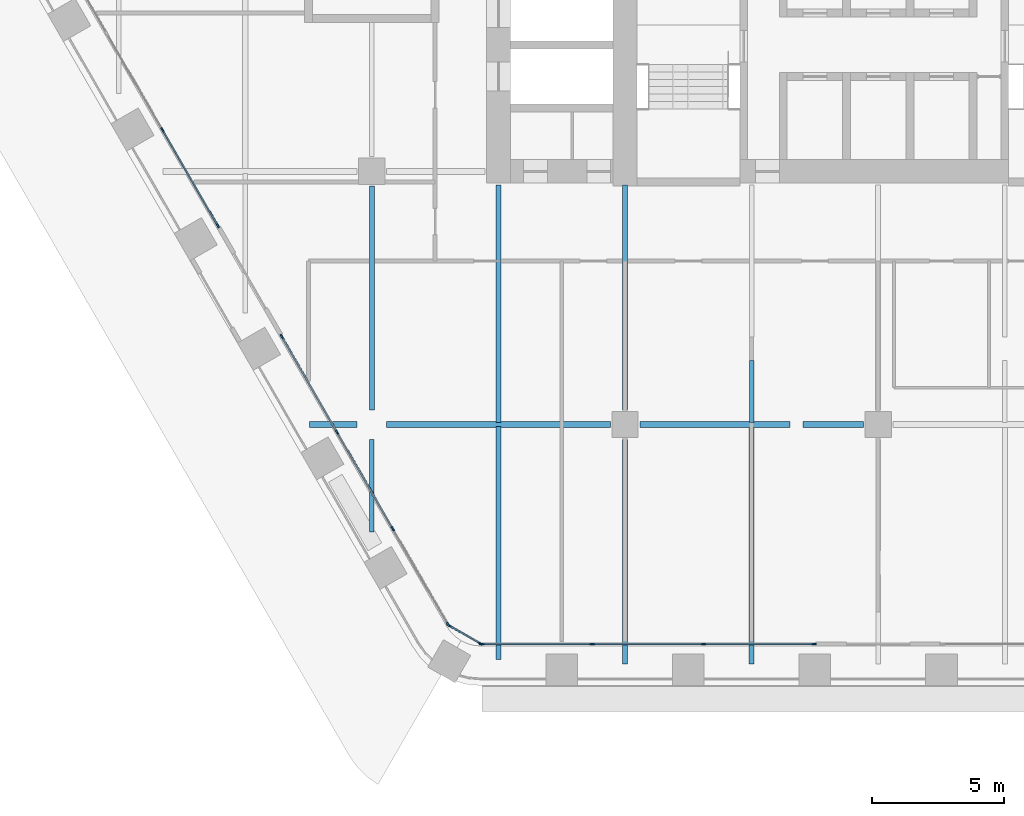
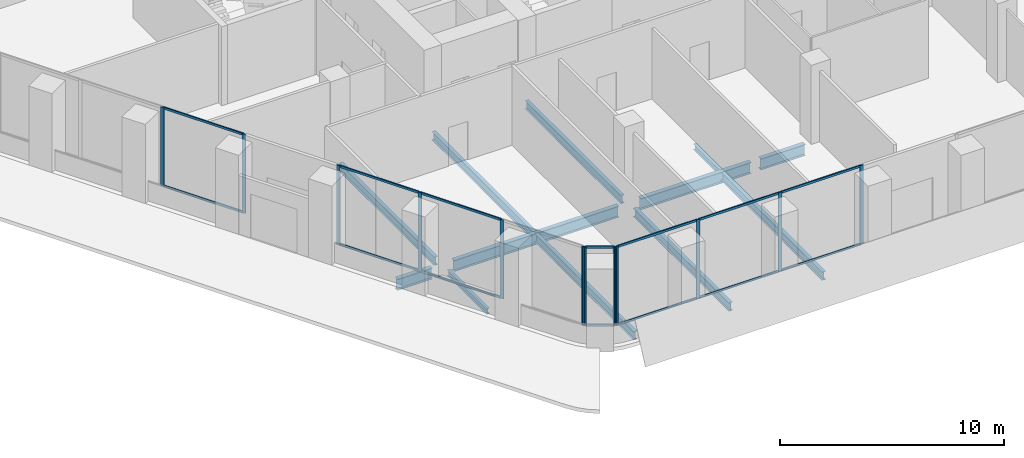
# One storey, part 2 of 23: 26 members, 12 beams, 4 elements without a shape of their own.
"""IFC4 building model written with IfcOpenShell, lengths in metres."""

from ifc_helpers import new_model, si_unit, direction, frame, origin, origin_2d, place, context, subcontext, project, spatial, rectangle, i_section, extrude, material, material_profile, profile_set, type_object, element, aggregate, save


model = new_model("IFC4")

# Units and contexts
model_context = context("Model", 3, precision=1e-05, world=origin(), true_north=direction((0.0, 1.0)))
body_context = subcontext(model_context, "Body", "Model", "MODEL_VIEW")
ifc_project = project(units=[si_unit("LENGTHUNIT", "METRE"), si_unit("AREAUNIT", "SQUARE_METRE"), si_unit("VOLUMEUNIT", "CUBIC_METRE"), si_unit("PLANEANGLEUNIT", "RADIAN"), si_unit("MASSUNIT", "GRAM", prefix="KILO")], contexts=[model_context])

# Site, building, storey
site_placement = place(None, origin())
site = spatial("IfcSite", under=ifc_project, at=site_placement, CompositionType="ELEMENT")
building_placement = place(site_placement, origin())
building = spatial("IfcBuilding", under=site, at=building_placement, Name="Kolab Exchange Tower", CompositionType="ELEMENT")
storey_placement = place(building_placement, frame((0.0, 0.0, 77.89990234375)))
storey = spatial("IfcBuildingStorey", under=building, at=storey_placement, Name="L14", CompositionType="ELEMENT", Elevation=77.89990234375)

# Beams
ifc_material_1 = material(Name="Steel S355", Category="steel")
ifc_material_profile_1 = material_profile(ifc_material_1, i_section(OverallWidth=0.1650390625, OverallDepth=0.31005859375, WebThickness=0.005859375, FlangeThickness=0.009765625, at=origin_2d()), Name="W310X39")
ifc_profile_set_1 = profile_set([ifc_material_profile_1], Name="Steel S355")
beam_type_1 = type_object("IfcBeamType", Name="FLOOR BEAM W310X39", PredefinedType="BEAM", material=ifc_profile_set_1)
beam_1_placement = place(storey_placement, frame((-19.199951171875, -23.281494140625, -0.35498046875), z_axis=(0.0, 1.0, 0.0), x_axis=(-1.0, 0.0, 0.0)))
element("IfcBeam", 1, at=beam_1_placement, inside=storey, type_object=beam_type_1, Name="beam/L14/fr/006", PredefinedType="BEAM", context=body_context, shape_type="SweptSolid", body=[
    extrude(i_section(OverallWidth=0.1650390625, OverallDepth=0.31005859375, WebThickness=0.005859375, FlangeThickness=0.009765625, at=origin_2d()), origin(), (0.0, 0.0, 1.0), 3.521484375),
])
beam_2_placement = place(storey_placement, frame((-4.800048828125, -19.1259765625, -0.35498046875), z_axis=(0.0, 1.0, 0.0), x_axis=(-1.0, 0.0, 0.0)))
element("IfcBeam", 2, at=beam_2_placement, inside=storey, type_object=beam_type_1, Name="beam/L14/fr/022", PredefinedType="BEAM", context=body_context, shape_type="SweptSolid", body=[
    extrude(i_section(OverallWidth=0.1650390625, OverallDepth=0.31005859375, WebThickness=0.005859375, FlangeThickness=0.009765625, at=origin_2d()), origin(), (0.0, 0.0, 1.0), 2.34716796875),
])
ifc_material_profile_2 = material_profile(ifc_material_1, i_section(OverallWidth=0.18994140625, OverallDepth=0.45703125, WebThickness=0.009033203125, FlangeThickness=0.014404296875, at=origin_2d()), Name="W460X74")
ifc_profile_set_2 = profile_set([ifc_material_profile_2], Name="Steel S355")
beam_type_2 = type_object("IfcBeamType", Name="FLOOR BEAM W460X74", PredefinedType="BEAM", material=ifc_profile_set_2)
beam_3_placement = place(storey_placement, frame((-19.199951171875, -18.639892578125, -0.428466796875), z_axis=(0.0, 1.0, 0.0), x_axis=(-1.0, 0.0, 0.0)))
element("IfcBeam", 3, at=beam_3_placement, inside=storey, type_object=beam_type_2, Name="beam/L14/fr/007", PredefinedType="BEAM", context=body_context, shape_type="SweptSolid", body=[
    extrude(i_section(OverallWidth=0.18994140625, OverallDepth=0.45703125, WebThickness=0.009033203125, FlangeThickness=0.014404296875, at=origin_2d()), origin(), (0.0, 0.0, 1.0), 8.47998046875),
])
beam_4_placement = place(storey_placement, frame((-14.39990234375, -28.10693359375, -0.428466796875), z_axis=(0.0, 1.0, 0.0), x_axis=(-1.0, 0.0, 0.0)))
element("IfcBeam", 4, at=beam_4_placement, inside=storey, type_object=beam_type_2, Name="beam/L14/fr/012", PredefinedType="BEAM", context=body_context, shape_type="SweptSolid", body=[
    extrude(i_section(OverallWidth=0.18994140625, OverallDepth=0.45703125, WebThickness=0.009033203125, FlangeThickness=0.014404296875, at=origin_2d()), origin(), (0.0, 0.0, 1.0), 8.8330078125),
])
beam_5_placement = place(storey_placement, frame((-14.39990234375, -19.1259765625, -0.428466796875), z_axis=(0.0, 1.0, 0.0), x_axis=(-1.0, 0.0, 0.0)))
element("IfcBeam", 5, at=beam_5_placement, inside=storey, type_object=beam_type_2, Name="beam/L14/fr/013", PredefinedType="BEAM", context=body_context, shape_type="SweptSolid", body=[
    extrude(i_section(OverallWidth=0.18994140625, OverallDepth=0.45703125, WebThickness=0.009033203125, FlangeThickness=0.014404296875, at=origin_2d()), origin(), (0.0, 0.0, 1.0), 9.015869140625),
])
beam_6_placement = place(storey_placement, frame((-9.60009765625, -28.28857421875, -0.428466796875), z_axis=(0.0, 1.0, 0.0), x_axis=(-1.0, 0.0, 0.0)))
element("IfcBeam", 6, at=beam_6_placement, inside=storey, type_object=beam_type_2, Name="beam/L14/fr/016", PredefinedType="BEAM", context=body_context, shape_type="SweptSolid", body=[
    extrude(i_section(OverallWidth=0.18994140625, OverallDepth=0.45703125, WebThickness=0.009033203125, FlangeThickness=0.014404296875, at=origin_2d()), origin(), (0.0, 0.0, 1.0), 8.528564453125),
])
beam_7_placement = place(storey_placement, frame((-9.60009765625, -18.639892578125, -0.428466796875), z_axis=(0.0, 1.0, 0.0), x_axis=(-1.0, 0.0, 0.0)))
element("IfcBeam", 7, at=beam_7_placement, inside=storey, type_object=beam_type_2, Name="beam/L14/fr/017", PredefinedType="BEAM", context=body_context, shape_type="SweptSolid", body=[
    extrude(i_section(OverallWidth=0.18994140625, OverallDepth=0.45703125, WebThickness=0.009033203125, FlangeThickness=0.014404296875, at=origin_2d()), origin(), (0.0, 0.0, 1.0), 8.52978515625),
])
beam_8_placement = place(storey_placement, frame((-4.800048828125, -28.28857421875, -0.428466796875), z_axis=(0.0, 1.0, 0.0), x_axis=(-1.0, 0.0, 0.0)))
element("IfcBeam", 8, at=beam_8_placement, inside=storey, type_object=beam_type_2, Name="beam/L14/fr/021", PredefinedType="BEAM", context=body_context, shape_type="SweptSolid", body=[
    extrude(i_section(OverallWidth=0.18994140625, OverallDepth=0.45703125, WebThickness=0.009033203125, FlangeThickness=0.014404296875, at=origin_2d()), origin(), (0.0, 0.0, 1.0), 9.0146484375),
])
ifc_material_profile_3 = material_profile(ifc_material_1, i_section(OverallWidth=0.22802734375, OverallDepth=0.60791015625, WebThickness=0.01123046875, FlangeThickness=0.017333984375, at=origin_2d()), Name="W610X113")
ifc_profile_set_3 = profile_set([ifc_material_profile_3], Name="Steel S355")
beam_type_3 = type_object("IfcBeamType", Name="FLOOR GIRDER W610X113", PredefinedType="BEAM", material=ifc_profile_set_3)
beam_9_placement = place(storey_placement, frame((-21.573486328125, -19.199951171875, -0.50390625), z_axis=(1.0, 0.0, 0.0), x_axis=(0.0, 1.0, 0.0)))
element("IfcBeam", 9, at=beam_9_placement, inside=storey, type_object=beam_type_3, Name="beam/L14/gd/004", PredefinedType="BEAM", context=body_context, shape_type="SweptSolid", body=[
    extrude(i_section(OverallWidth=0.22802734375, OverallDepth=0.60791015625, WebThickness=0.01123046875, FlangeThickness=0.017333984375, at=origin_2d()), origin(), (0.0, 0.0, 1.0), 1.8134765625),
])
beam_10_placement = place(storey_placement, frame((-18.639892578125, -19.199951171875, -0.50390625), z_axis=(1.0, 0.0, 0.0), x_axis=(0.0, 1.0, 0.0)))
element("IfcBeam", 10, at=beam_10_placement, inside=storey, type_object=beam_type_3, Name="beam/L14/gd/006", PredefinedType="BEAM", context=body_context, shape_type="SweptSolid", body=[
    extrude(i_section(OverallWidth=0.22802734375, OverallDepth=0.60791015625, WebThickness=0.01123046875, FlangeThickness=0.017333984375, at=origin_2d()), origin(), (0.0, 0.0, 1.0), 8.47998046875),
])
beam_11_placement = place(storey_placement, frame((-9.0400390625, -19.199951171875, -0.50390625), z_axis=(1.0, 0.0, 0.0), x_axis=(0.0, 1.0, 0.0)))
element("IfcBeam", 11, at=beam_11_placement, inside=storey, type_object=beam_type_3, Name="beam/L14/gd/011", PredefinedType="BEAM", context=body_context, shape_type="SweptSolid", body=[
    extrude(i_section(OverallWidth=0.22802734375, OverallDepth=0.60791015625, WebThickness=0.01123046875, FlangeThickness=0.017333984375, at=origin_2d()), origin(), (0.0, 0.0, 1.0), 5.688720703125),
])
beam_12_placement = place(storey_placement, frame((-2.850341796875, -19.199951171875, -0.50390625), z_axis=(1.0, 0.0, 0.0), x_axis=(0.0, 1.0, 0.0)))
element("IfcBeam", 12, at=beam_12_placement, inside=storey, type_object=beam_type_3, Name="beam/L14/gd/014", PredefinedType="BEAM", context=body_context, shape_type="SweptSolid", body=[
    extrude(i_section(OverallWidth=0.22802734375, OverallDepth=0.60791015625, WebThickness=0.01123046875, FlangeThickness=0.017333984375, at=origin_2d()), origin(), (0.0, 0.0, 1.0), 2.290283203125),
])

# Curtain wall, members
ifc_material_2 = material(Name="Aluminium EN AW-6063 T6", Category="aluminium")
curtain_wall_type = type_object("IfcCurtainWallType", Name="UNITISED LOWER MID ZONE CURTAIN WALL", PredefinedType="NOTDEFINED", material=ifc_material_2)
curtain_wall_1_placement = place(storey_placement, origin())
curtain_wall_1 = element("IfcCurtainWall", 13, at=curtain_wall_1_placement, inside=storey, type_object=curtain_wall_type, Name="cw/L14/F4-2", PredefinedType="NOTDEFINED")
ifc_material_profile_4 = material_profile(ifc_material_2, rectangle(XDim=0.06005859375, YDim=0.179931640625, at=origin_2d()), Name="RECT 60X180")
ifc_profile_set_4 = profile_set([ifc_material_profile_4], Name="Aluminium EN AW-6063 T6")
member_type_1 = type_object("IfcMemberType", Name="UNITISED LOWER MID ZONE MULLION 60 X 180", PredefinedType="MULLION", material=ifc_profile_set_4)
member_1_placement = place(storey_placement, frame((-2.429931640625, -27.5185546875, 0.0), z_axis=(0.0, 0.0, 1.0), x_axis=(0.0, -1.0, 0.0)))
member_1 = element("IfcMember", 14, at=member_1_placement, type_object=member_type_1, Name="CW2 mullion 1", PredefinedType="MULLION", context=body_context, shape_type="SweptSolid", body=[
    extrude(rectangle(XDim=0.06005859375, YDim=0.179931640625, at=origin_2d()), origin(), (0.0, 0.0, 1.0), 4.300048828125),
])
member_2_placement = place(storey_placement, frame((-6.62255859375, -27.5185546875, 0.0), z_axis=(0.0, 0.0, 1.0), x_axis=(0.0, -1.0, 0.0)))
member_2 = element("IfcMember", 15, at=member_2_placement, type_object=member_type_1, Name="CW2 mullion 2", PredefinedType="MULLION", context=body_context, shape_type="SweptSolid", body=[
    extrude(rectangle(XDim=0.06005859375, YDim=0.179931640625, at=origin_2d()), origin(), (0.0, 0.0, 1.0), 4.300048828125),
])
member_3_placement = place(storey_placement, frame((-10.84521484375, -27.5185546875, 0.0), z_axis=(0.0, 0.0, 1.0), x_axis=(0.0, -1.0, 0.0)))
member_3 = element("IfcMember", 16, at=member_3_placement, type_object=member_type_1, Name="CW2 mullion 3", PredefinedType="MULLION", context=body_context, shape_type="SweptSolid", body=[
    extrude(rectangle(XDim=0.06005859375, YDim=0.179931640625, at=origin_2d()), origin(), (0.0, 0.0, 1.0), 4.300048828125),
])
member_4_placement = place(storey_placement, frame((-15.037841796875, -27.5185546875, 0.0), z_axis=(0.0, 0.0, 1.0), x_axis=(0.0, -1.0, 0.0)))
member_4 = element("IfcMember", 17, at=member_4_placement, type_object=member_type_1, Name="CW2 mullion 4", PredefinedType="MULLION", context=body_context, shape_type="SweptSolid", body=[
    extrude(rectangle(XDim=0.06005859375, YDim=0.179931640625, at=origin_2d()), origin(), (0.0, 0.0, 1.0), 4.300048828125),
])

curtain_wall_2_placement = place(storey_placement, origin())
curtain_wall_2 = element("IfcCurtainWall", 18, at=curtain_wall_2_placement, inside=storey, type_object=curtain_wall_type, Name="cw/L14/F5-1", PredefinedType="NOTDEFINED")
member_5_placement = place(storey_placement, frame((-16.312744140625, -26.782470703125, 0.0), z_axis=(0.0, 0.0, 1.0), x_axis=(-0.866025393644, -0.500000017564, 0.0)))
member_5 = element("IfcMember", 19, at=member_5_placement, type_object=member_type_1, Name="CW2 mullion 1", PredefinedType="MULLION", context=body_context, shape_type="SweptSolid", body=[
    extrude(rectangle(XDim=0.06005859375, YDim=0.179931640625, at=origin_2d()), origin(), (0.0, 0.0, 1.0), 4.300048828125),
])
member_6_placement = place(storey_placement, frame((-18.408935546875, -23.151611328125, 0.0), z_axis=(0.0, 0.0, 1.0), x_axis=(-0.866025393644, -0.500000017564, 0.0)))
member_6 = element("IfcMember", 20, at=member_6_placement, type_object=member_type_1, Name="CW2 mullion 2", PredefinedType="MULLION", context=body_context, shape_type="SweptSolid", body=[
    extrude(rectangle(XDim=0.06005859375, YDim=0.179931640625, at=origin_2d()), origin(), (0.0, 0.0, 1.0), 4.300048828125),
])
member_7_placement = place(storey_placement, frame((-20.520263671875, -19.49462890625, 0.0), z_axis=(0.0, 0.0, 1.0), x_axis=(-0.866025393644, -0.500000017564, 0.0)))
member_7 = element("IfcMember", 21, at=member_7_placement, type_object=member_type_1, Name="CW2 mullion 3", PredefinedType="MULLION", context=body_context, shape_type="SweptSolid", body=[
    extrude(rectangle(XDim=0.06005859375, YDim=0.179931640625, at=origin_2d()), origin(), (0.0, 0.0, 1.0), 4.300048828125),
])
member_8_placement = place(storey_placement, frame((-22.61669921875, -15.86376953125, 0.0), z_axis=(0.0, 0.0, 1.0), x_axis=(-0.866025393644, -0.500000017564, 0.0)))
member_8 = element("IfcMember", 22, at=member_8_placement, type_object=member_type_1, Name="CW2 mullion 4", PredefinedType="MULLION", context=body_context, shape_type="SweptSolid", body=[
    extrude(rectangle(XDim=0.06005859375, YDim=0.179931640625, at=origin_2d()), origin(), (0.0, 0.0, 1.0), 4.300048828125),
])

curtain_wall_3_placement = place(storey_placement, origin())
curtain_wall_3 = element("IfcCurtainWall", 23, at=curtain_wall_3_placement, inside=storey, type_object=curtain_wall_type, Name="cw/L14/F5-2", PredefinedType="NOTDEFINED")
member_9_placement = place(storey_placement, frame((-25.046630859375, -11.65478515625, 0.0), z_axis=(0.0, 0.0, 1.0), x_axis=(-0.866025427826, -0.499999958358, 0.0)))
member_9 = element("IfcMember", 24, at=member_9_placement, type_object=member_type_1, Name="CW2 mullion 1", PredefinedType="MULLION", context=body_context, shape_type="SweptSolid", body=[
    extrude(rectangle(XDim=0.06005859375, YDim=0.179931640625, at=origin_2d()), origin(), (0.0, 0.0, 1.0), 4.300048828125),
])
member_10_placement = place(storey_placement, frame((-27.14306640625, -8.02392578125, 0.0), z_axis=(0.0, 0.0, 1.0), x_axis=(-0.866025427826, -0.499999958358, 0.0)))
member_10 = element("IfcMember", 25, at=member_10_placement, type_object=member_type_1, Name="CW2 mullion 2", PredefinedType="MULLION", context=body_context, shape_type="SweptSolid", body=[
    extrude(rectangle(XDim=0.06005859375, YDim=0.179931640625, at=origin_2d()), origin(), (0.0, 0.0, 1.0), 4.300048828125),
])

curtain_wall_4_placement = place(storey_placement, origin())
curtain_wall_4 = element("IfcCurtainWall", 26, at=curtain_wall_4_placement, inside=storey, type_object=curtain_wall_type, Name="cw/L14/F4F5-corner", PredefinedType="NOTDEFINED")
member_11_placement = place(storey_placement, frame((-15.093994140625, -27.50341796875, 0.0), z_axis=(0.0, 0.0, 1.0), x_axis=(-0.50000002237, -0.866025390869, 0.0)))
member_11 = element("IfcMember", 27, at=member_11_placement, type_object=member_type_1, Name="CW2 mullion 1", PredefinedType="MULLION", context=body_context, shape_type="SweptSolid", body=[
    extrude(rectangle(XDim=0.06005859375, YDim=0.179931640625, at=origin_2d()), origin(), (0.0, 0.0, 1.0), 4.300048828125),
])
member_12_placement = place(storey_placement, frame((-16.271728515625, -26.823486328125, 0.0), z_axis=(0.0, 0.0, 1.0), x_axis=(-0.50000002237, -0.866025390869, 0.0)))
member_12 = element("IfcMember", 28, at=member_12_placement, type_object=member_type_1, Name="CW2 mullion 2", PredefinedType="MULLION", context=body_context, shape_type="SweptSolid", body=[
    extrude(rectangle(XDim=0.06005859375, YDim=0.179931640625, at=origin_2d()), origin(), (0.0, 0.0, 1.0), 4.300048828125),
])

# Member
ifc_material_profile_5 = material_profile(ifc_material_2, rectangle(XDim=0.06005859375, YDim=0.1201171875, at=origin_2d()), Name="RECT 60X120")
ifc_profile_set_5 = profile_set([ifc_material_profile_5], Name="Aluminium EN AW-6063 T6")
member_type_2 = type_object("IfcMemberType", Name="UNITISED LOWER MID ZONE TRANSOM 60 X 120", PredefinedType="USERDEFINED", material=ifc_profile_set_5)
member_13_placement = place(storey_placement, frame((-2.4599609375, -27.5185546875, 0.030029296875), z_axis=(-1.0, 0.0, 0.0), x_axis=(0.0, -1.0, 0.0)))
member_13 = element("IfcMember", 29, at=member_13_placement, type_object=member_type_2, Name="CW2 transom 1.1", ObjectType="TRANSOM", PredefinedType="USERDEFINED", context=body_context, shape_type="SweptSolid", body=[
    extrude(rectangle(XDim=0.06005859375, YDim=0.1201171875, at=origin_2d()), origin(), (0.0, 0.0, 1.0), 4.132568359375),
])

member_14_placement = place(storey_placement, frame((-2.4599609375, -27.5185546875, 4.27001953125), z_axis=(-1.0, 0.0, 0.0), x_axis=(0.0, -1.0, 0.0)))
member_14 = element("IfcMember", 30, at=member_14_placement, type_object=member_type_2, Name="CW2 transom 1.2", ObjectType="TRANSOM", PredefinedType="USERDEFINED", context=body_context, shape_type="SweptSolid", body=[
    extrude(rectangle(XDim=0.06005859375, YDim=0.1201171875, at=origin_2d()), origin(), (0.0, 0.0, 1.0), 4.132568359375),
])

member_15_placement = place(storey_placement, frame((-6.652587890625, -27.5185546875, 0.030029296875), z_axis=(-1.0, 0.0, 0.0), x_axis=(0.0, -1.0, 0.0)))
member_15 = element("IfcMember", 31, at=member_15_placement, type_object=member_type_2, Name="CW2 transom 2.1", ObjectType="TRANSOM", PredefinedType="USERDEFINED", context=body_context, shape_type="SweptSolid", body=[
    extrude(rectangle(XDim=0.06005859375, YDim=0.1201171875, at=origin_2d()), origin(), (0.0, 0.0, 1.0), 4.16259765625),
])

member_16_placement = place(storey_placement, frame((-6.652587890625, -27.5185546875, 4.27001953125), z_axis=(-1.0, 0.0, 0.0), x_axis=(0.0, -1.0, 0.0)))
member_16 = element("IfcMember", 32, at=member_16_placement, type_object=member_type_2, Name="CW2 transom 2.2", ObjectType="TRANSOM", PredefinedType="USERDEFINED", context=body_context, shape_type="SweptSolid", body=[
    extrude(rectangle(XDim=0.06005859375, YDim=0.1201171875, at=origin_2d()), origin(), (0.0, 0.0, 1.0), 4.16259765625),
])

member_17_placement = place(storey_placement, frame((-10.875244140625, -27.5185546875, 0.030029296875), z_axis=(-1.0, 0.0, 0.0), x_axis=(0.0, -1.0, 0.0)))
member_17 = element("IfcMember", 33, at=member_17_placement, type_object=member_type_2, Name="CW2 transom 3.1", ObjectType="TRANSOM", PredefinedType="USERDEFINED", context=body_context, shape_type="SweptSolid", body=[
    extrude(rectangle(XDim=0.06005859375, YDim=0.1201171875, at=origin_2d()), origin(), (0.0, 0.0, 1.0), 4.1328125),
])

member_18_placement = place(storey_placement, frame((-10.875244140625, -27.5185546875, 4.27001953125), z_axis=(-1.0, 0.0, 0.0), x_axis=(0.0, -1.0, 0.0)))
member_18 = element("IfcMember", 34, at=member_18_placement, type_object=member_type_2, Name="CW2 transom 3.2", ObjectType="TRANSOM", PredefinedType="USERDEFINED", context=body_context, shape_type="SweptSolid", body=[
    extrude(rectangle(XDim=0.06005859375, YDim=0.1201171875, at=origin_2d()), origin(), (0.0, 0.0, 1.0), 4.1328125),
])

aggregate(curtain_wall_1, [member_1, member_2, member_3, member_4, member_13, member_14, member_15, member_16, member_17, member_18])

member_19_placement = place(storey_placement, frame((-18.424072265625, -23.12548828125, 0.030029296875), z_axis=(-0.49999322259, 0.866029316688, 0.0), x_axis=(-0.866029316688, -0.49999322259, 0.0)))
member_19 = element("IfcMember", 35, at=member_19_placement, type_object=member_type_2, Name="CW2 transom 2.1", ObjectType="TRANSOM", PredefinedType="USERDEFINED", context=body_context, shape_type="SweptSolid", body=[
    extrude(rectangle(XDim=0.06005859375, YDim=0.1201171875, at=origin_2d()), origin(), (0.0, 0.0, 1.0), 4.16259765625),
])

member_20_placement = place(storey_placement, frame((-18.424072265625, -23.12548828125, 4.27001953125), z_axis=(-0.49999322259, 0.866029316688, 0.0), x_axis=(-0.866029316688, -0.49999322259, 0.0)))
member_20 = element("IfcMember", 36, at=member_20_placement, type_object=member_type_2, Name="CW2 transom 2.2", ObjectType="TRANSOM", PredefinedType="USERDEFINED", context=body_context, shape_type="SweptSolid", body=[
    extrude(rectangle(XDim=0.06005859375, YDim=0.1201171875, at=origin_2d()), origin(), (0.0, 0.0, 1.0), 4.16259765625),
])

member_21_placement = place(storey_placement, frame((-20.535400390625, -19.46875, 0.030029296875), z_axis=(-0.499957688808, 0.866049830784, 0.0), x_axis=(-0.866049830784, -0.499957688808, 0.0)))
member_21 = element("IfcMember", 37, at=member_21_placement, type_object=member_type_2, Name="CW2 transom 3.1", ObjectType="TRANSOM", PredefinedType="USERDEFINED", context=body_context, shape_type="SweptSolid", body=[
    extrude(rectangle(XDim=0.06005859375, YDim=0.1201171875, at=origin_2d()), origin(), (0.0, 0.0, 1.0), 4.132568359375),
])

member_22_placement = place(storey_placement, frame((-20.535400390625, -19.46875, 4.27001953125), z_axis=(-0.499957688808, 0.866049830784, 0.0), x_axis=(-0.866049830784, -0.499957688808, 0.0)))
member_22 = element("IfcMember", 38, at=member_22_placement, type_object=member_type_2, Name="CW2 transom 3.2", ObjectType="TRANSOM", PredefinedType="USERDEFINED", context=body_context, shape_type="SweptSolid", body=[
    extrude(rectangle(XDim=0.06005859375, YDim=0.1201171875, at=origin_2d()), origin(), (0.0, 0.0, 1.0), 4.132568359375),
])

aggregate(curtain_wall_2, [member_5, member_6, member_7, member_8, member_19, member_20, member_21, member_22])

member_23_placement = place(storey_placement, frame((-25.061767578125, -11.62890625, 0.030029296875), z_axis=(-0.499957688808, 0.866049830784, 0.0), x_axis=(-0.866049830784, -0.499957688808, 0.0)))
member_23 = element("IfcMember", 39, at=member_23_placement, type_object=member_type_2, Name="CW2 transom 1.1", ObjectType="TRANSOM", PredefinedType="USERDEFINED", context=body_context, shape_type="SweptSolid", body=[
    extrude(rectangle(XDim=0.06005859375, YDim=0.1201171875, at=origin_2d()), origin(), (0.0, 0.0, 1.0), 4.132568359375),
])

member_24_placement = place(storey_placement, frame((-25.061767578125, -11.62890625, 4.27001953125), z_axis=(-0.499957688808, 0.866049830784, 0.0), x_axis=(-0.866049830784, -0.499957688808, 0.0)))
member_24 = element("IfcMember", 40, at=member_24_placement, type_object=member_type_2, Name="CW2 transom 1.2", ObjectType="TRANSOM", PredefinedType="USERDEFINED", context=body_context, shape_type="SweptSolid", body=[
    extrude(rectangle(XDim=0.06005859375, YDim=0.1201171875, at=origin_2d()), origin(), (0.0, 0.0, 1.0), 4.132568359375),
])

aggregate(curtain_wall_3, [member_9, member_10, member_23, member_24])

member_25_placement = place(storey_placement, frame((-15.119873046875, -27.488525390625, 0.030029296875), z_axis=(-0.866004217611, 0.500036693733, 0.0), x_axis=(-0.500036693733, -0.866004217611, 0.0)))
member_25 = element("IfcMember", 41, at=member_25_placement, type_object=member_type_2, Name="CW2 transom 1.1", ObjectType="TRANSOM", PredefinedType="USERDEFINED", context=body_context, shape_type="SweptSolid", body=[
    extrude(rectangle(XDim=0.06005859375, YDim=0.1201171875, at=origin_2d()), origin(), (0.0, 0.0, 1.0), 1.30029296875),
])

member_26_placement = place(storey_placement, frame((-15.119873046875, -27.488525390625, 4.27001953125), z_axis=(-0.866004217611, 0.500036693733, 0.0), x_axis=(-0.500036693733, -0.866004217611, 0.0)))
member_26 = element("IfcMember", 42, at=member_26_placement, type_object=member_type_2, Name="CW2 transom 1.2", ObjectType="TRANSOM", PredefinedType="USERDEFINED", context=body_context, shape_type="SweptSolid", body=[
    extrude(rectangle(XDim=0.06005859375, YDim=0.1201171875, at=origin_2d()), origin(), (0.0, 0.0, 1.0), 1.30029296875),
])

aggregate(curtain_wall_4, [member_11, member_12, member_25, member_26])

save(model, "model.ifc")
